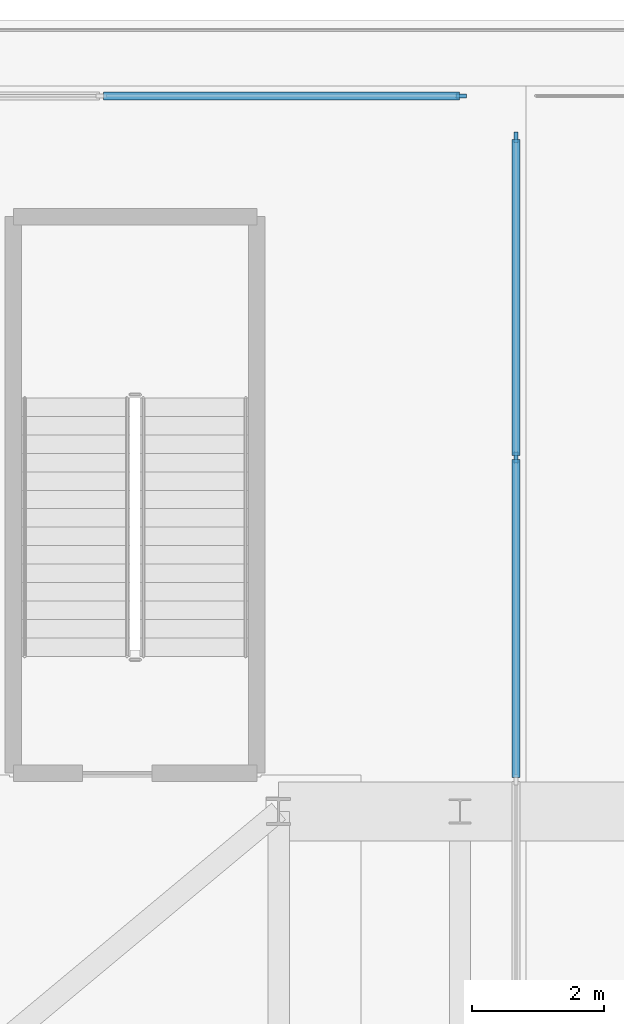
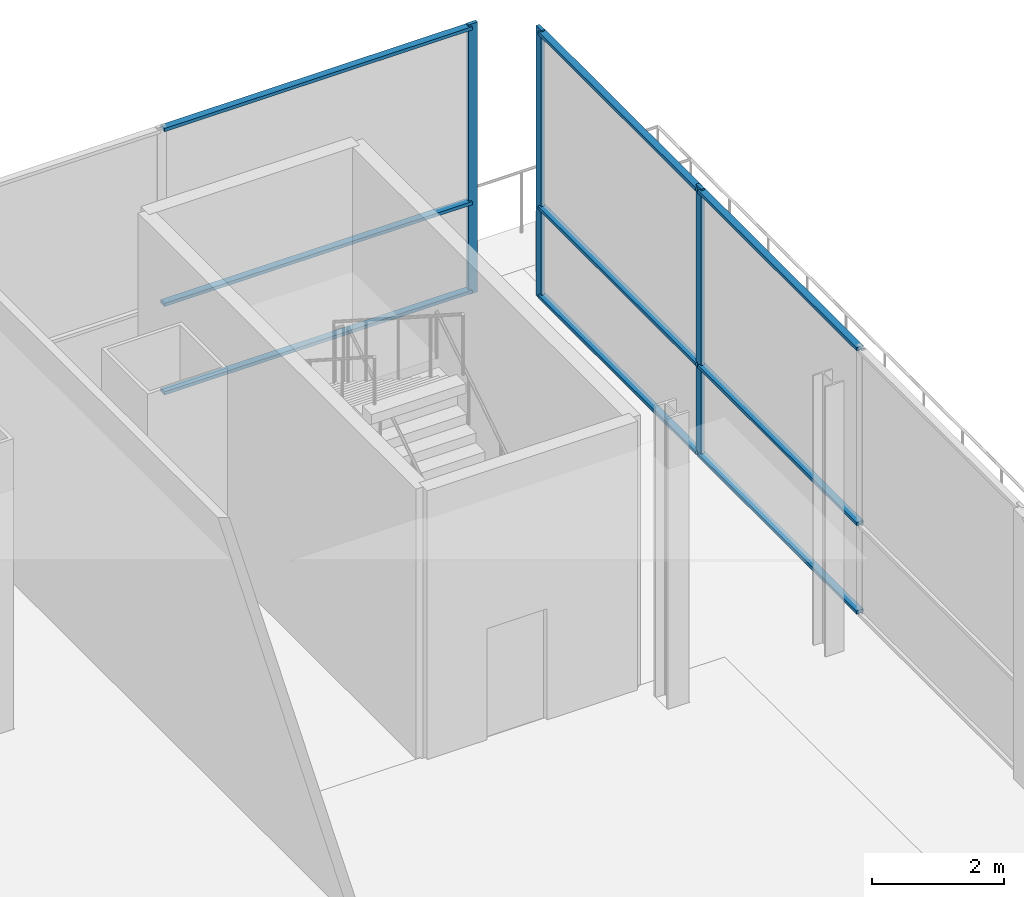
# One storey, part 19 of 36: 12 members, 2 elements without a shape of their own.
"""IFC4 building model written with IfcOpenShell, lengths in metres."""

from ifc_helpers import new_model, si_unit, direction, frame, origin, origin_2d, place, context, subcontext, project, spatial, rectangle, extrude, material, layer, layer_set, material_profile, profile_set, type_object, element, aggregate, save


model = new_model("IFC4")

# Units and contexts
model_context = context("Model", 3, precision=1e-05, world=origin(), true_north=direction((0.0, 1.0)))
body_context = subcontext(model_context, "Body", "Model", "MODEL_VIEW")
ifc_project = project(units=[si_unit("LENGTHUNIT", "METRE"), si_unit("AREAUNIT", "SQUARE_METRE"), si_unit("VOLUMEUNIT", "CUBIC_METRE"), si_unit("PLANEANGLEUNIT", "RADIAN"), si_unit("MASSUNIT", "GRAM", prefix="KILO")], contexts=[model_context])

# Site, building, storey
site_placement = place(None, origin())
site = spatial("IfcSite", under=ifc_project, at=site_placement, CompositionType="ELEMENT")
building_placement = place(site_placement, origin())
building = spatial("IfcBuilding", under=site, at=building_placement, Name="Trevonay Congress Spire", CompositionType="ELEMENT")
storey_placement = place(building_placement, frame((0.0, 0.0, 16.199951171875)))
storey = spatial("IfcBuildingStorey", under=building, at=storey_placement, Name="L03", CompositionType="ELEMENT", Elevation=16.199951171875)

# Curtain wall, members
ifc_material = material(Name="Pale Anodised Aluminium EN AW-6063-T6", Category="aluminium")
ifc_layer = layer(ifc_material, 0.179931640625, Name="Pale Anodised Aluminium EN AW-6063-T6")
ifc_layer_set = layer_set([ifc_layer], Name="Pale Anodised Aluminium EN AW-6063-T6")
curtain_wall_type = type_object("IfcCurtainWallType", Name="CW-SYS01-PODIUM-PALE-METAL", PredefinedType="NOTDEFINED", material=ifc_layer_set)
curtain_wall_1_placement = place(storey_placement, origin())
curtain_wall_1 = element("IfcCurtainWall", 1, at=curtain_wall_1_placement, inside=storey, type_object=curtain_wall_type, Name="L03 E2 podium curtain wall", PredefinedType="NOTDEFINED")
ifc_material_profile_1 = material_profile(ifc_material, rectangle(XDim=0.06005859375, YDim=0.159912109375, at=origin_2d()), Name="CW-MULLION-160-ALUMINIUM")
ifc_profile_set_1 = profile_set([ifc_material_profile_1], Name="Pale Anodised Aluminium EN AW-6063-T6")
member_type_1 = type_object("IfcMemberType", Name="CW-MULLION-160-ALUMINIUM", PredefinedType="MULLION", material=ifc_profile_set_1)
member_1_placement = place(storey_placement, frame((32.85009765625, 19.86669921875, 0.0), z_axis=(0.0, 0.0, 1.0), x_axis=(-1.0, 0.0, 0.0)))
member_1 = element("IfcMember", 2, at=member_1_placement, type_object=member_type_1, Name="CW01 mullion 3", PredefinedType="MULLION", context=body_context, shape_type="SweptSolid", body=[
    extrude(rectangle(XDim=0.06005859375, YDim=0.159912109375, at=origin_2d()), origin(), (0.0, 0.0, 1.0), 5.0),
])
member_2_placement = place(storey_placement, frame((32.85009765625, 24.719970703125, 0.0), z_axis=(0.0, 0.0, 1.0), x_axis=(-1.0, 0.0, 0.0)))
member_2 = element("IfcMember", 3, at=member_2_placement, type_object=member_type_1, Name="CW01 mullion 4", PredefinedType="MULLION", context=body_context, shape_type="SweptSolid", body=[
    extrude(rectangle(XDim=0.06005859375, YDim=0.159912109375, at=origin_2d()), origin(), (0.0, 0.0, 1.0), 5.0),
])

# Curtain wall, member
curtain_wall_2_placement = place(storey_placement, origin())
curtain_wall_2 = element("IfcCurtainWall", 4, at=curtain_wall_2_placement, inside=storey, type_object=curtain_wall_type, Name="L03 N2 podium curtain wall", PredefinedType="NOTDEFINED")
member_3_placement = place(storey_placement, frame((32.02001953125, 25.35009765625, 0.0), z_axis=(0.0, 0.0, 1.0), x_axis=(0.0, 1.0, 0.0)))
member_3 = element("IfcMember", 5, at=member_3_placement, type_object=member_type_1, Name="CW01 mullion 5", PredefinedType="MULLION", context=body_context, shape_type="SweptSolid", body=[
    extrude(rectangle(XDim=0.06005859375, YDim=0.159912109375, at=origin_2d()), origin(), (0.0, 0.0, 1.0), 5.0),
])

# Member
ifc_material_profile_2 = material_profile(ifc_material, rectangle(XDim=0.1201171875, YDim=0.06005859375, at=origin_2d()), Name="CW-TRANSOM-120-ALUMINIUM")
ifc_profile_set_2 = profile_set([ifc_material_profile_2], Name="Pale Anodised Aluminium EN AW-6063-T6")
member_type_2 = type_object("IfcMemberType", Name="CW-TRANSOM-120-ALUMINIUM", PredefinedType="USERDEFINED", material=ifc_profile_set_2)
member_4_placement = place(storey_placement, frame((32.85009765625, 15.013427734375, 0.06005859375), z_axis=(0.0, 1.0, 0.0), x_axis=(-1.0, 0.0, 0.0)))
member_4 = element("IfcMember", 6, at=member_4_placement, type_object=member_type_2, Name="CW01 transom 2.1", ObjectType="TRANSOM", PredefinedType="USERDEFINED", context=body_context, shape_type="SweptSolid", body=[
    extrude(rectangle(XDim=0.1201171875, YDim=0.06005859375, at=origin_2d()), origin(), (0.0, 0.0, 1.0), 4.8232421875),
])

member_5_placement = place(storey_placement, frame((32.85009765625, 15.013427734375, 1.699951171875), z_axis=(0.0, 1.0, 0.0), x_axis=(-1.0, 0.0, 0.0)))
member_5 = element("IfcMember", 7, at=member_5_placement, type_object=member_type_2, Name="CW01 transom 2.2", ObjectType="TRANSOM", PredefinedType="USERDEFINED", context=body_context, shape_type="SweptSolid", body=[
    extrude(rectangle(XDim=0.1201171875, YDim=0.06005859375, at=origin_2d()), origin(), (0.0, 0.0, 1.0), 4.8232421875),
])

member_6_placement = place(storey_placement, frame((32.85009765625, 15.013427734375, 4.93994140625), z_axis=(0.0, 1.0, 0.0), x_axis=(-1.0, 0.0, 0.0)))
member_6 = element("IfcMember", 8, at=member_6_placement, type_object=member_type_2, Name="CW01 transom 2.3", ObjectType="TRANSOM", PredefinedType="USERDEFINED", context=body_context, shape_type="SweptSolid", body=[
    extrude(rectangle(XDim=0.1201171875, YDim=0.06005859375, at=origin_2d()), origin(), (0.0, 0.0, 1.0), 4.8232421875),
])

member_7_placement = place(storey_placement, frame((32.85009765625, 19.896728515625, 0.06005859375), z_axis=(0.0, 1.0, 0.0), x_axis=(-1.0, 0.0, 0.0)))
member_7 = element("IfcMember", 9, at=member_7_placement, type_object=member_type_2, Name="CW01 transom 3.1", ObjectType="TRANSOM", PredefinedType="USERDEFINED", context=body_context, shape_type="SweptSolid", body=[
    extrude(rectangle(XDim=0.1201171875, YDim=0.06005859375, at=origin_2d()), origin(), (0.0, 0.0, 1.0), 4.793212890625),
])

member_8_placement = place(storey_placement, frame((32.85009765625, 19.896728515625, 1.699951171875), z_axis=(0.0, 1.0, 0.0), x_axis=(-1.0, 0.0, 0.0)))
member_8 = element("IfcMember", 10, at=member_8_placement, type_object=member_type_2, Name="CW01 transom 3.2", ObjectType="TRANSOM", PredefinedType="USERDEFINED", context=body_context, shape_type="SweptSolid", body=[
    extrude(rectangle(XDim=0.1201171875, YDim=0.06005859375, at=origin_2d()), origin(), (0.0, 0.0, 1.0), 4.793212890625),
])

member_9_placement = place(storey_placement, frame((32.85009765625, 19.896728515625, 4.93994140625), z_axis=(0.0, 1.0, 0.0), x_axis=(-1.0, 0.0, 0.0)))
member_9 = element("IfcMember", 11, at=member_9_placement, type_object=member_type_2, Name="CW01 transom 3.3", ObjectType="TRANSOM", PredefinedType="USERDEFINED", context=body_context, shape_type="SweptSolid", body=[
    extrude(rectangle(XDim=0.1201171875, YDim=0.06005859375, at=origin_2d()), origin(), (0.0, 0.0, 1.0), 4.793212890625),
])

aggregate(curtain_wall_1, [member_1, member_2, member_4, member_5, member_6, member_7, member_8, member_9])

member_10_placement = place(storey_placement, frame((26.592529296875, 25.35009765625, 0.06005859375), z_axis=(1.0, 0.0, 0.0), x_axis=(0.0, 1.0, 0.0)))
member_10 = element("IfcMember", 12, at=member_10_placement, type_object=member_type_2, Name="CW01 transom 4.1", ObjectType="TRANSOM", PredefinedType="USERDEFINED", context=body_context, shape_type="SweptSolid", body=[
    extrude(rectangle(XDim=0.1201171875, YDim=0.06005859375, at=origin_2d()), origin(), (0.0, 0.0, 1.0), 5.3974609375),
])

member_11_placement = place(storey_placement, frame((26.592529296875, 25.35009765625, 1.699951171875), z_axis=(1.0, 0.0, 0.0), x_axis=(0.0, 1.0, 0.0)))
member_11 = element("IfcMember", 13, at=member_11_placement, type_object=member_type_2, Name="CW01 transom 4.2", ObjectType="TRANSOM", PredefinedType="USERDEFINED", context=body_context, shape_type="SweptSolid", body=[
    extrude(rectangle(XDim=0.1201171875, YDim=0.06005859375, at=origin_2d()), origin(), (0.0, 0.0, 1.0), 5.3974609375),
])

member_12_placement = place(storey_placement, frame((26.592529296875, 25.35009765625, 4.93994140625), z_axis=(1.0, 0.0, 0.0), x_axis=(0.0, 1.0, 0.0)))
member_12 = element("IfcMember", 14, at=member_12_placement, type_object=member_type_2, Name="CW01 transom 4.3", ObjectType="TRANSOM", PredefinedType="USERDEFINED", context=body_context, shape_type="SweptSolid", body=[
    extrude(rectangle(XDim=0.1201171875, YDim=0.06005859375, at=origin_2d()), origin(), (0.0, 0.0, 1.0), 5.3974609375),
])

aggregate(curtain_wall_2, [member_3, member_10, member_11, member_12])

save(model, "model.ifc")
